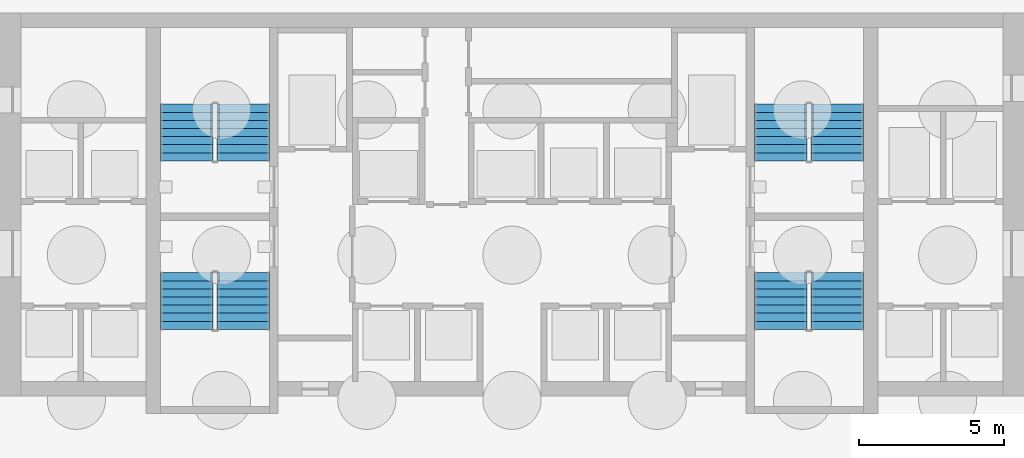
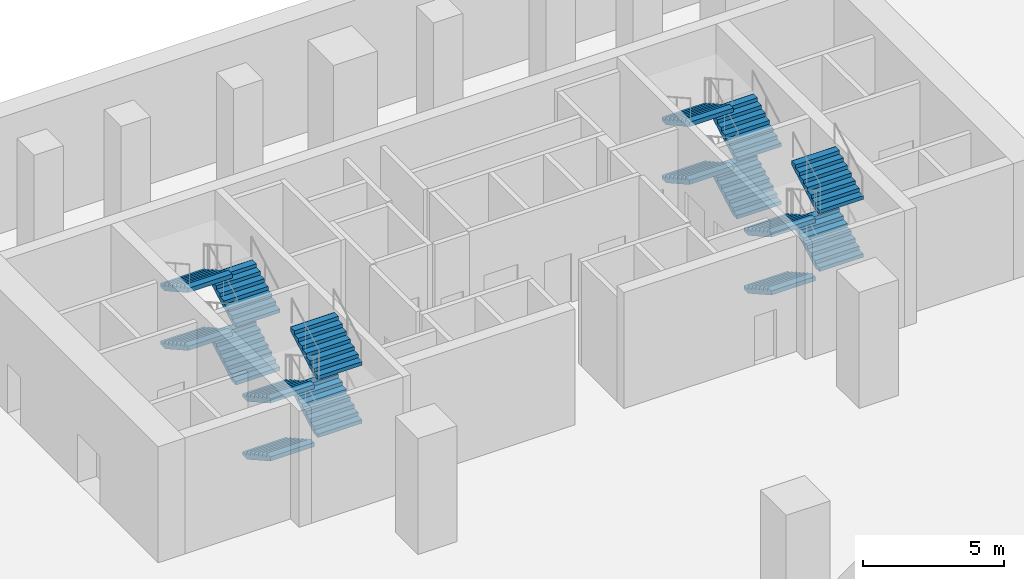
# One storey, part 15 of 27: 16 stair flights, 4 elements without a shape of their own.
"""IFC4 building model written with IfcOpenShell, lengths in metres."""

from ifc_helpers import new_model, si_unit, direction, frame, origin, place, context, subcontext, project, spatial, faceted_brep, source, transform, mapped, material, type_object, element, aggregate, save


model = new_model("IFC4")

# Units and contexts
model_context = context("Model", 3, precision=1e-05, world=origin(), true_north=direction((0.0, 1.0)))
body_context = subcontext(model_context, "Body", "Model", "MODEL_VIEW")
ifc_project = project(units=[si_unit("LENGTHUNIT", "METRE"), si_unit("AREAUNIT", "SQUARE_METRE"), si_unit("VOLUMEUNIT", "CUBIC_METRE"), si_unit("PLANEANGLEUNIT", "RADIAN"), si_unit("MASSUNIT", "GRAM", prefix="KILO")], contexts=[model_context])

# Site, building, storey
site_placement = place(None, origin())
site = spatial("IfcSite", under=ifc_project, at=site_placement, CompositionType="ELEMENT")
building_placement = place(site_placement, origin())
building = spatial("IfcBuilding", under=site, at=building_placement, Name="Calabash Gate Tower", CompositionType="ELEMENT")
storey_placement = place(building_placement, frame((0.0, 0.0, -10.0)))
storey = spatial("IfcBuildingStorey", under=building, at=storey_placement, Name="B2", CompositionType="ELEMENT", Elevation=-10.0)

# Stair, stair flights
ifc_material_1 = material(Name="Concrete C40/50", Category="concrete")
stair_type = type_object("IfcStairType", Name="Exit stair 32 risers of 156.2 mm", PredefinedType="HALF_TURN_STAIR", material=ifc_material_1)
stair_1_placement = place(storey_placement, origin())
stair_1 = element("IfcStair", 1, at=stair_1_placement, inside=storey, type_object=stair_type, Name="B2 Exit stair ST1", PredefinedType="HALF_TURN_STAIR")
ifc_material_2 = material(Name="Concrete C40/50", Category="concrete")
stair_flight_type = type_object("IfcStairFlightType", Name="Exit stair flight SFL", PredefinedType="STRAIGHT", material=ifc_material_2)
shared_shape = source(origin(), body_context, "Body", "Brep", [
    faceted_brep([(-0.0009765625, -0.89990234375, 0.0), (0.306884765625, -0.89990234375, 0.0), (1.9541015625, -0.89990234375, 0.921875), (-0.0009765625, 0.89990234375, 0.0), (1.9541015625, 0.89990234375, 0.921875), (0.306884765625, 0.89990234375, 0.0), (1.9541015625, -0.89990234375, 1.105712890625), (1.952880859375, -0.89990234375, 1.105712890625), (1.952880859375, 0.89990234375, 1.105712890625), (1.9541015625, 0.89990234375, 1.105712890625), (1.952880859375, -0.89990234375, 1.09375), (1.952880859375, 0.89990234375, 1.09375), (1.674072265625, -0.89990234375, 1.09375), (1.674072265625, 0.89990234375, 1.09375), (1.674072265625, -0.89990234375, 0.9375), (1.674072265625, 0.89990234375, 0.9375), (1.39501953125, -0.89990234375, 0.9375), (1.39501953125, 0.89990234375, 0.9375), (1.39501953125, -0.89990234375, 0.78125), (1.39501953125, 0.89990234375, 0.78125), (1.115966796875, -0.89990234375, 0.78125), (1.115966796875, -0.89990234375, 0.625), (1.115966796875, 0.89990234375, 0.625), (1.115966796875, 0.89990234375, 0.78125), (0.8369140625, -0.89990234375, 0.625), (0.8369140625, -0.89990234375, 0.46875), (0.8369140625, 0.89990234375, 0.46875), (0.8369140625, 0.89990234375, 0.625), (0.55810546875, -0.89990234375, 0.46875), (0.55810546875, -0.89990234375, 0.3125), (0.55810546875, 0.89990234375, 0.3125), (0.55810546875, 0.89990234375, 0.46875), (0.279052734375, -0.89990234375, 0.3125), (0.279052734375, -0.89990234375, 0.15625), (0.279052734375, 0.89990234375, 0.15625), (0.279052734375, 0.89990234375, 0.3125), (-0.0009765625, -0.89990234375, 0.15625), (-0.0009765625, 0.89990234375, 0.15625), (0.306884765625, -0.360107421875, 0.0), (1.9541015625, -0.360107421875, 0.921875), (0.306884765625, -0.27001953125, 0.0), (1.9541015625, -0.27001953125, 0.921875), (0.306884765625, -0.179931640625, 0.0), (1.9541015625, -0.179931640625, 0.921875), (0.306884765625, -0.090087890625, 0.0), (1.9541015625, -0.090087890625, 0.921875), (0.306884765625, 0.0, 0.0), (1.9541015625, 0.0, 0.921875), (0.306884765625, 0.090087890625, 0.0), (1.9541015625, 0.090087890625, 0.921875), (0.306884765625, 0.179931640625, 0.0), (1.9541015625, 0.179931640625, 0.921875), (0.306884765625, 0.27001953125, 0.0), (1.9541015625, 0.27001953125, 0.921875), (0.306884765625, 0.360107421875, 0.0), (1.9541015625, 0.360107421875, 0.921875), (1.9541015625, -0.360107421875, 1.105712890625), (1.9541015625, -0.27001953125, 1.105712890625), (1.9541015625, -0.179931640625, 1.105712890625), (1.9541015625, -0.090087890625, 1.105712890625), (1.9541015625, 0.0, 1.105712890625), (1.9541015625, 0.090087890625, 1.105712890625), (1.9541015625, 0.179931640625, 1.105712890625), (1.9541015625, 0.27001953125, 1.105712890625), (1.9541015625, 0.360107421875, 1.105712890625), (1.952880859375, -0.360107421875, 1.105712890625), (1.952880859375, -0.27001953125, 1.105712890625), (1.952880859375, -0.179931640625, 1.105712890625), (1.952880859375, -0.090087890625, 1.105712890625), (1.952880859375, 0.0, 1.105712890625), (1.952880859375, 0.090087890625, 1.105712890625), (1.952880859375, 0.179931640625, 1.105712890625), (1.952880859375, 0.27001953125, 1.105712890625), (1.952880859375, 0.360107421875, 1.105712890625), (1.952880859375, -0.360107421875, 1.09375), (1.952880859375, -0.27001953125, 1.09375), (1.952880859375, -0.179931640625, 1.09375), (1.952880859375, -0.090087890625, 1.09375), (1.952880859375, 0.0, 1.09375), (1.952880859375, 0.090087890625, 1.09375), (1.952880859375, 0.179931640625, 1.09375), (1.952880859375, 0.27001953125, 1.09375), (1.952880859375, 0.360107421875, 1.09375), (1.674072265625, -0.360107421875, 1.09375), (1.674072265625, -0.27001953125, 1.09375), (1.674072265625, -0.179931640625, 1.09375), (1.674072265625, -0.090087890625, 1.09375), (1.674072265625, 0.0, 1.09375), (1.674072265625, 0.090087890625, 1.09375), (1.674072265625, 0.179931640625, 1.09375), (1.674072265625, 0.27001953125, 1.09375), (1.674072265625, 0.360107421875, 1.09375), (1.674072265625, -0.360107421875, 0.9375), (1.674072265625, -0.27001953125, 0.9375), (1.674072265625, -0.179931640625, 0.9375), (1.674072265625, -0.090087890625, 0.9375), (1.674072265625, 0.0, 0.9375), (1.674072265625, 0.090087890625, 0.9375), (1.674072265625, 0.179931640625, 0.9375), (1.674072265625, 0.27001953125, 0.9375), (1.674072265625, 0.360107421875, 0.9375), (1.39501953125, -0.360107421875, 0.9375), (1.39501953125, -0.27001953125, 0.9375), (1.39501953125, -0.179931640625, 0.9375), (1.39501953125, -0.090087890625, 0.9375), (1.39501953125, 0.0, 0.9375), (1.39501953125, 0.090087890625, 0.9375), (1.39501953125, 0.179931640625, 0.9375), (1.39501953125, 0.27001953125, 0.9375), (1.39501953125, 0.360107421875, 0.9375), (1.39501953125, -0.360107421875, 0.78125), (1.39501953125, -0.27001953125, 0.78125), (1.39501953125, -0.179931640625, 0.78125), (1.39501953125, -0.090087890625, 0.78125), (1.39501953125, 0.0, 0.78125), (1.39501953125, 0.090087890625, 0.78125), (1.39501953125, 0.179931640625, 0.78125), (1.39501953125, 0.27001953125, 0.78125), (1.39501953125, 0.360107421875, 0.78125), (1.115966796875, -0.360107421875, 0.78125), (1.115966796875, -0.27001953125, 0.78125), (1.115966796875, -0.179931640625, 0.78125), (1.115966796875, -0.090087890625, 0.78125), (1.115966796875, 0.0, 0.78125), (1.115966796875, 0.090087890625, 0.78125), (1.115966796875, 0.179931640625, 0.78125), (1.115966796875, 0.27001953125, 0.78125), (1.115966796875, 0.360107421875, 0.78125), (1.115966796875, -0.360107421875, 0.625), (1.115966796875, -0.27001953125, 0.625), (1.115966796875, -0.179931640625, 0.625), (1.115966796875, -0.090087890625, 0.625), (1.115966796875, 0.0, 0.625), (1.115966796875, 0.090087890625, 0.625), (1.115966796875, 0.179931640625, 0.625), (1.115966796875, 0.27001953125, 0.625), (1.115966796875, 0.360107421875, 0.625), (0.8369140625, -0.360107421875, 0.625), (0.8369140625, -0.27001953125, 0.625), (0.8369140625, -0.179931640625, 0.625), (0.8369140625, -0.090087890625, 0.625), (0.8369140625, 0.0, 0.625), (0.8369140625, 0.090087890625, 0.625), (0.8369140625, 0.179931640625, 0.625), (0.8369140625, 0.27001953125, 0.625), (0.8369140625, 0.360107421875, 0.625), (0.8369140625, -0.360107421875, 0.46875), (0.8369140625, -0.27001953125, 0.46875), (0.8369140625, -0.179931640625, 0.46875), (0.8369140625, -0.090087890625, 0.46875), (0.8369140625, 0.0, 0.46875), (0.8369140625, 0.090087890625, 0.46875), (0.8369140625, 0.179931640625, 0.46875), (0.8369140625, 0.27001953125, 0.46875), (0.8369140625, 0.360107421875, 0.46875), (0.55810546875, -0.360107421875, 0.46875), (0.55810546875, -0.27001953125, 0.46875), (0.55810546875, -0.179931640625, 0.46875), (0.55810546875, -0.090087890625, 0.46875), (0.55810546875, 0.0, 0.46875), (0.55810546875, 0.090087890625, 0.46875), (0.55810546875, 0.179931640625, 0.46875), (0.55810546875, 0.27001953125, 0.46875), (0.55810546875, 0.360107421875, 0.46875), (0.55810546875, -0.360107421875, 0.3125), (0.55810546875, -0.27001953125, 0.3125), (0.55810546875, -0.179931640625, 0.3125), (0.55810546875, -0.090087890625, 0.3125), (0.55810546875, 0.0, 0.3125), (0.55810546875, 0.090087890625, 0.3125), (0.55810546875, 0.179931640625, 0.3125), (0.55810546875, 0.27001953125, 0.3125), (0.55810546875, 0.360107421875, 0.3125), (0.279052734375, -0.360107421875, 0.3125), (0.279052734375, -0.27001953125, 0.3125), (0.279052734375, -0.179931640625, 0.3125), (0.279052734375, -0.090087890625, 0.3125), (0.279052734375, 0.0, 0.3125), (0.279052734375, 0.090087890625, 0.3125), (0.279052734375, 0.179931640625, 0.3125), (0.279052734375, 0.27001953125, 0.3125), (0.279052734375, 0.360107421875, 0.3125), (0.279052734375, -0.360107421875, 0.15625), (0.279052734375, -0.27001953125, 0.15625), (0.279052734375, -0.179931640625, 0.15625), (0.279052734375, -0.090087890625, 0.15625), (0.279052734375, 0.0, 0.15625), (0.279052734375, 0.090087890625, 0.15625), (0.279052734375, 0.179931640625, 0.15625), (0.279052734375, 0.27001953125, 0.15625), (0.279052734375, 0.360107421875, 0.15625), (-0.0009765625, -0.360107421875, 0.15625), (-0.0009765625, -0.27001953125, 0.15625), (-0.0009765625, -0.179931640625, 0.15625), (-0.0009765625, -0.090087890625, 0.15625), (-0.0009765625, 0.0, 0.15625), (-0.0009765625, 0.090087890625, 0.15625), (-0.0009765625, 0.179931640625, 0.15625), (-0.0009765625, 0.27001953125, 0.15625), (-0.0009765625, 0.360107421875, 0.15625), (-0.0009765625, -0.360107421875, 0.0), (-0.0009765625, -0.27001953125, 0.0), (-0.0009765625, -0.179931640625, 0.0), (-0.0009765625, -0.090087890625, 0.0), (-0.0009765625, 0.0, 0.0), (-0.0009765625, 0.090087890625, 0.0), (-0.0009765625, 0.179931640625, 0.0), (-0.0009765625, 0.27001953125, 0.0), (-0.0009765625, 0.360107421875, 0.0)], [[[0, 1, 2]], [[3, 4, 5]], [[2, 6, 7]], [[4, 8, 9]], [[2, 7, 10]], [[4, 11, 8]], [[2, 10, 12]], [[4, 13, 11]], [[2, 12, 14]], [[4, 15, 13]], [[2, 14, 16]], [[4, 17, 15]], [[2, 16, 18]], [[4, 19, 17]], [[18, 20, 21]], [[19, 22, 23]], [[2, 18, 21]], [[4, 22, 19]], [[21, 24, 25]], [[22, 26, 27]], [[2, 21, 25]], [[4, 26, 22]], [[25, 28, 29]], [[26, 30, 31]], [[2, 25, 29]], [[4, 30, 26]], [[29, 32, 33]], [[30, 34, 35]], [[2, 29, 33]], [[4, 34, 30]], [[0, 2, 33]], [[3, 34, 4]], [[33, 36, 0]], [[34, 3, 37]], [[1, 38, 2]], [[38, 39, 2]], [[38, 40, 39]], [[40, 41, 39]], [[40, 42, 41]], [[42, 43, 41]], [[42, 44, 43]], [[44, 45, 43]], [[44, 46, 45]], [[46, 47, 45]], [[46, 48, 49]], [[46, 49, 47]], [[48, 50, 51]], [[48, 51, 49]], [[50, 52, 53]], [[50, 53, 51]], [[52, 54, 55]], [[52, 55, 53]], [[54, 5, 4]], [[54, 4, 55]], [[2, 39, 6]], [[39, 56, 6]], [[39, 41, 56]], [[41, 57, 56]], [[41, 43, 57]], [[43, 58, 57]], [[43, 45, 58]], [[45, 59, 58]], [[45, 47, 59]], [[47, 60, 59]], [[47, 49, 61]], [[47, 61, 60]], [[49, 51, 62]], [[49, 62, 61]], [[51, 53, 63]], [[51, 63, 62]], [[53, 55, 64]], [[53, 64, 63]], [[55, 4, 9]], [[55, 9, 64]], [[6, 56, 7]], [[56, 65, 7]], [[56, 57, 65]], [[57, 66, 65]], [[57, 58, 66]], [[58, 67, 66]], [[58, 59, 67]], [[59, 68, 67]], [[59, 60, 68]], [[60, 69, 68]], [[60, 61, 70]], [[60, 70, 69]], [[61, 62, 71]], [[61, 71, 70]], [[62, 63, 72]], [[62, 72, 71]], [[63, 64, 73]], [[63, 73, 72]], [[64, 9, 8]], [[64, 8, 73]], [[7, 65, 10]], [[65, 74, 10]], [[65, 66, 74]], [[66, 75, 74]], [[66, 67, 75]], [[67, 76, 75]], [[67, 68, 76]], [[68, 77, 76]], [[68, 69, 77]], [[69, 78, 77]], [[69, 70, 79]], [[69, 79, 78]], [[70, 71, 80]], [[70, 80, 79]], [[71, 72, 81]], [[71, 81, 80]], [[72, 73, 82]], [[72, 82, 81]], [[73, 8, 11]], [[73, 11, 82]], [[10, 74, 12]], [[74, 83, 12]], [[74, 75, 83]], [[75, 84, 83]], [[75, 76, 84]], [[76, 85, 84]], [[76, 77, 85]], [[77, 86, 85]], [[77, 78, 86]], [[78, 87, 86]], [[78, 79, 88]], [[78, 88, 87]], [[79, 80, 89]], [[79, 89, 88]], [[80, 81, 90]], [[80, 90, 89]], [[81, 82, 91]], [[81, 91, 90]], [[82, 11, 13]], [[82, 13, 91]], [[12, 83, 14]], [[83, 92, 14]], [[83, 84, 92]], [[84, 93, 92]], [[84, 85, 93]], [[85, 94, 93]], [[85, 86, 94]], [[86, 95, 94]], [[86, 87, 95]], [[87, 96, 95]], [[87, 88, 97]], [[87, 97, 96]], [[88, 89, 98]], [[88, 98, 97]], [[89, 90, 99]], [[89, 99, 98]], [[90, 91, 100]], [[90, 100, 99]], [[91, 13, 15]], [[91, 15, 100]], [[14, 92, 16]], [[92, 101, 16]], [[92, 93, 101]], [[93, 102, 101]], [[93, 94, 102]], [[94, 103, 102]], [[94, 95, 103]], [[95, 104, 103]], [[95, 96, 104]], [[96, 105, 104]], [[96, 97, 106]], [[96, 106, 105]], [[97, 98, 107]], [[97, 107, 106]], [[98, 99, 108]], [[98, 108, 107]], [[99, 100, 109]], [[99, 109, 108]], [[100, 15, 17]], [[100, 17, 109]], [[16, 101, 18]], [[101, 110, 18]], [[101, 102, 110]], [[102, 111, 110]], [[102, 103, 111]], [[103, 112, 111]], [[103, 104, 112]], [[104, 113, 112]], [[104, 105, 113]], [[105, 114, 113]], [[105, 106, 115]], [[105, 115, 114]], [[106, 107, 116]], [[106, 116, 115]], [[107, 108, 117]], [[107, 117, 116]], [[108, 109, 118]], [[108, 118, 117]], [[109, 17, 19]], [[109, 19, 118]], [[18, 110, 20]], [[110, 119, 20]], [[110, 111, 119]], [[111, 120, 119]], [[111, 112, 120]], [[112, 121, 120]], [[112, 113, 121]], [[113, 122, 121]], [[113, 114, 122]], [[114, 123, 122]], [[114, 115, 124]], [[114, 124, 123]], [[115, 116, 125]], [[115, 125, 124]], [[116, 117, 126]], [[116, 126, 125]], [[117, 118, 127]], [[117, 127, 126]], [[118, 19, 23]], [[118, 23, 127]], [[20, 119, 21]], [[119, 128, 21]], [[119, 120, 128]], [[120, 129, 128]], [[120, 121, 129]], [[121, 130, 129]], [[121, 122, 130]], [[122, 131, 130]], [[122, 123, 131]], [[123, 132, 131]], [[123, 124, 133]], [[123, 133, 132]], [[124, 125, 134]], [[124, 134, 133]], [[125, 126, 135]], [[125, 135, 134]], [[126, 127, 136]], [[126, 136, 135]], [[127, 23, 22]], [[127, 22, 136]], [[21, 128, 24]], [[128, 137, 24]], [[128, 129, 137]], [[129, 138, 137]], [[129, 130, 138]], [[130, 139, 138]], [[130, 131, 139]], [[131, 140, 139]], [[131, 132, 140]], [[132, 141, 140]], [[132, 133, 142]], [[132, 142, 141]], [[133, 134, 143]], [[133, 143, 142]], [[134, 135, 144]], [[134, 144, 143]], [[135, 136, 145]], [[135, 145, 144]], [[136, 22, 27]], [[136, 27, 145]], [[24, 137, 25]], [[137, 146, 25]], [[137, 138, 146]], [[138, 147, 146]], [[138, 139, 147]], [[139, 148, 147]], [[139, 140, 148]], [[140, 149, 148]], [[140, 141, 149]], [[141, 150, 149]], [[141, 142, 151]], [[141, 151, 150]], [[142, 143, 152]], [[142, 152, 151]], [[143, 144, 153]], [[143, 153, 152]], [[144, 145, 154]], [[144, 154, 153]], [[145, 27, 26]], [[145, 26, 154]], [[25, 146, 28]], [[146, 155, 28]], [[146, 147, 155]], [[147, 156, 155]], [[147, 148, 156]], [[148, 157, 156]], [[148, 149, 157]], [[149, 158, 157]], [[149, 150, 158]], [[150, 159, 158]], [[150, 151, 160]], [[150, 160, 159]], [[151, 152, 161]], [[151, 161, 160]], [[152, 153, 162]], [[152, 162, 161]], [[153, 154, 163]], [[153, 163, 162]], [[154, 26, 31]], [[154, 31, 163]], [[28, 155, 29]], [[155, 164, 29]], [[155, 156, 164]], [[156, 165, 164]], [[156, 157, 165]], [[157, 166, 165]], [[157, 158, 166]], [[158, 167, 166]], [[158, 159, 167]], [[159, 168, 167]], [[159, 160, 169]], [[159, 169, 168]], [[160, 161, 170]], [[160, 170, 169]], [[161, 162, 171]], [[161, 171, 170]], [[162, 163, 172]], [[162, 172, 171]], [[163, 31, 30]], [[163, 30, 172]], [[29, 164, 32]], [[164, 173, 32]], [[164, 165, 173]], [[165, 174, 173]], [[165, 166, 174]], [[166, 175, 174]], [[166, 167, 175]], [[167, 176, 175]], [[167, 168, 176]], [[168, 177, 176]], [[168, 169, 178]], [[168, 178, 177]], [[169, 170, 179]], [[169, 179, 178]], [[170, 171, 180]], [[170, 180, 179]], [[171, 172, 181]], [[171, 181, 180]], [[172, 30, 35]], [[172, 35, 181]], [[32, 173, 33]], [[173, 182, 33]], [[173, 174, 182]], [[174, 183, 182]], [[174, 175, 183]], [[175, 184, 183]], [[175, 176, 184]], [[176, 185, 184]], [[176, 177, 185]], [[177, 186, 185]], [[177, 178, 187]], [[177, 187, 186]], [[178, 179, 188]], [[178, 188, 187]], [[179, 180, 189]], [[179, 189, 188]], [[180, 181, 190]], [[180, 190, 189]], [[181, 35, 34]], [[181, 34, 190]], [[33, 182, 36]], [[182, 191, 36]], [[182, 183, 191]], [[183, 192, 191]], [[183, 184, 192]], [[184, 193, 192]], [[184, 185, 193]], [[185, 194, 193]], [[185, 186, 194]], [[186, 195, 194]], [[186, 187, 196]], [[186, 196, 195]], [[187, 188, 197]], [[187, 197, 196]], [[188, 189, 198]], [[188, 198, 197]], [[189, 190, 199]], [[189, 199, 198]], [[190, 34, 37]], [[190, 37, 199]], [[36, 191, 0]], [[191, 200, 0]], [[191, 192, 200]], [[192, 201, 200]], [[192, 193, 201]], [[193, 202, 201]], [[193, 194, 202]], [[194, 203, 202]], [[194, 195, 203]], [[195, 204, 203]], [[195, 196, 205]], [[195, 205, 204]], [[196, 197, 206]], [[196, 206, 205]], [[197, 198, 207]], [[197, 207, 206]], [[198, 199, 208]], [[198, 208, 207]], [[199, 37, 3]], [[199, 3, 208]], [[0, 200, 1]], [[200, 38, 1]], [[200, 201, 38]], [[201, 40, 38]], [[201, 202, 40]], [[202, 42, 40]], [[202, 203, 42]], [[203, 44, 42]], [[203, 204, 44]], [[204, 46, 44]], [[204, 205, 48]], [[204, 48, 46]], [[205, 206, 50]], [[205, 50, 48]], [[206, 207, 52]], [[206, 52, 50]], [[207, 208, 54]], [[207, 54, 52]], [[208, 3, 5]], [[208, 5, 54]]]),
])
stair_flight_1_placement = place(storey_placement, frame((-9.25, 13.95263671875, 0.0), z_axis=(0.0, 0.0, 1.0), x_axis=(0.0, 1.0, 0.0)))
stair_flight_1 = element("IfcStairFlight", 2, at=stair_flight_1_placement, type_object=stair_flight_type, Name="ST1 flight 1", NumberOfRisers=8, NumberOfTreads=7, PredefinedType="STRAIGHT", RiserHeight=0.15625, TreadLength=0.279, context=body_context, shape_type="MappedRepresentation", body=[
    mapped(shared_shape, transform((0.0, 0.0, 0.0), scale=1.0)),
])
stair_flight_2_placement = place(storey_placement, frame((-11.199951171875, 15.905517578125, 1.25), z_axis=(0.0, 0.0, 1.0), x_axis=(0.0, -1.0, 0.0)))
stair_flight_2 = element("IfcStairFlight", 3, at=stair_flight_2_placement, type_object=stair_flight_type, Name="ST1 flight 2", NumberOfRisers=8, NumberOfTreads=7, PredefinedType="STRAIGHT", RiserHeight=0.15625, TreadLength=0.279, context=body_context, shape_type="MappedRepresentation", body=[
    mapped(shared_shape, transform((0.0, 0.0, 0.0), scale=1.0)),
])
stair_flight_3_placement = place(storey_placement, frame((-9.25, 13.95263671875, 2.5), z_axis=(0.0, 0.0, 1.0), x_axis=(0.0, 1.0, 0.0)))
stair_flight_3 = element("IfcStairFlight", 4, at=stair_flight_3_placement, type_object=stair_flight_type, Name="ST1 flight 3", NumberOfRisers=8, NumberOfTreads=7, PredefinedType="STRAIGHT", RiserHeight=0.15625, TreadLength=0.279, context=body_context, shape_type="MappedRepresentation", body=[
    mapped(shared_shape, transform((0.0, 0.0, 0.0), scale=1.0)),
])
stair_flight_4_placement = place(storey_placement, frame((-11.199951171875, 15.905517578125, 3.75), z_axis=(0.0, 0.0, 1.0), x_axis=(0.0, -1.0, 0.0)))
stair_flight_4 = element("IfcStairFlight", 5, at=stair_flight_4_placement, type_object=stair_flight_type, Name="ST1 flight 4", NumberOfRisers=8, NumberOfTreads=7, PredefinedType="STRAIGHT", RiserHeight=0.15625, TreadLength=0.279, context=body_context, shape_type="MappedRepresentation", body=[
    mapped(shared_shape, transform((0.0, 0.0, 0.0), scale=1.0)),
])
aggregate(stair_1, [stair_flight_1, stair_flight_2, stair_flight_3, stair_flight_4])

stair_2_placement = place(storey_placement, origin())
stair_2 = element("IfcStair", 6, at=stair_2_placement, inside=storey, type_object=stair_type, Name="B2 Exit stair ST2", PredefinedType="HALF_TURN_STAIR")
stair_flight_5_placement = place(storey_placement, frame((-11.199951171875, 10.1025390625, 0.0), z_axis=(0.0, 0.0, 1.0), x_axis=(0.0, -1.0, 0.0)))
stair_flight_5 = element("IfcStairFlight", 7, at=stair_flight_5_placement, type_object=stair_flight_type, Name="ST2 flight 1", NumberOfRisers=8, NumberOfTreads=7, PredefinedType="STRAIGHT", RiserHeight=0.15625, TreadLength=0.279, context=body_context, shape_type="MappedRepresentation", body=[
    mapped(shared_shape, transform((0.0, 0.0, 0.0), scale=1.0)),
])
stair_flight_6_placement = place(storey_placement, frame((-9.25, 8.149658203125, 1.25), z_axis=(0.0, 0.0, 1.0), x_axis=(0.0, 1.0, 0.0)))
stair_flight_6 = element("IfcStairFlight", 8, at=stair_flight_6_placement, type_object=stair_flight_type, Name="ST2 flight 2", NumberOfRisers=8, NumberOfTreads=7, PredefinedType="STRAIGHT", RiserHeight=0.15625, TreadLength=0.279, context=body_context, shape_type="MappedRepresentation", body=[
    mapped(shared_shape, transform((0.0, 0.0, 0.0), scale=1.0)),
])
stair_flight_7_placement = place(storey_placement, frame((-11.199951171875, 10.1025390625, 2.5), z_axis=(0.0, 0.0, 1.0), x_axis=(0.0, -1.0, 0.0)))
stair_flight_7 = element("IfcStairFlight", 9, at=stair_flight_7_placement, type_object=stair_flight_type, Name="ST2 flight 3", NumberOfRisers=8, NumberOfTreads=7, PredefinedType="STRAIGHT", RiserHeight=0.15625, TreadLength=0.279, context=body_context, shape_type="MappedRepresentation", body=[
    mapped(shared_shape, transform((0.0, 0.0, 0.0), scale=1.0)),
])
stair_flight_8_placement = place(storey_placement, frame((-9.25, 8.149658203125, 3.75), z_axis=(0.0, 0.0, 1.0), x_axis=(0.0, 1.0, 0.0)))
stair_flight_8 = element("IfcStairFlight", 10, at=stair_flight_8_placement, type_object=stair_flight_type, Name="ST2 flight 4", NumberOfRisers=8, NumberOfTreads=7, PredefinedType="STRAIGHT", RiserHeight=0.15625, TreadLength=0.279, context=body_context, shape_type="MappedRepresentation", body=[
    mapped(shared_shape, transform((0.0, 0.0, 0.0), scale=1.0)),
])
aggregate(stair_2, [stair_flight_5, stair_flight_6, stair_flight_7, stair_flight_8])

stair_3_placement = place(storey_placement, origin())
stair_3 = element("IfcStair", 11, at=stair_3_placement, inside=storey, type_object=stair_type, Name="B2 Exit stair ST3", PredefinedType="HALF_TURN_STAIR")
stair_flight_9_placement = place(storey_placement, frame((11.199951171875, 13.95263671875, 0.0), z_axis=(0.0, 0.0, 1.0), x_axis=(0.0, 1.0, 0.0)))
stair_flight_9 = element("IfcStairFlight", 12, at=stair_flight_9_placement, type_object=stair_flight_type, Name="ST3 flight 1", NumberOfRisers=8, NumberOfTreads=7, PredefinedType="STRAIGHT", RiserHeight=0.15625, TreadLength=0.279, context=body_context, shape_type="MappedRepresentation", body=[
    mapped(shared_shape, transform((0.0, 0.0, 0.0), scale=1.0)),
])
stair_flight_10_placement = place(storey_placement, frame((9.25, 15.905517578125, 1.25), z_axis=(0.0, 0.0, 1.0), x_axis=(0.0, -1.0, 0.0)))
stair_flight_10 = element("IfcStairFlight", 13, at=stair_flight_10_placement, type_object=stair_flight_type, Name="ST3 flight 2", NumberOfRisers=8, NumberOfTreads=7, PredefinedType="STRAIGHT", RiserHeight=0.15625, TreadLength=0.279, context=body_context, shape_type="MappedRepresentation", body=[
    mapped(shared_shape, transform((0.0, 0.0, 0.0), scale=1.0)),
])
stair_flight_11_placement = place(storey_placement, frame((11.199951171875, 13.95263671875, 2.5), z_axis=(0.0, 0.0, 1.0), x_axis=(0.0, 1.0, 0.0)))
stair_flight_11 = element("IfcStairFlight", 14, at=stair_flight_11_placement, type_object=stair_flight_type, Name="ST3 flight 3", NumberOfRisers=8, NumberOfTreads=7, PredefinedType="STRAIGHT", RiserHeight=0.15625, TreadLength=0.279, context=body_context, shape_type="MappedRepresentation", body=[
    mapped(shared_shape, transform((0.0, 0.0, 0.0), scale=1.0)),
])
stair_flight_12_placement = place(storey_placement, frame((9.25, 15.905517578125, 3.75), z_axis=(0.0, 0.0, 1.0), x_axis=(0.0, -1.0, 0.0)))
stair_flight_12 = element("IfcStairFlight", 15, at=stair_flight_12_placement, type_object=stair_flight_type, Name="ST3 flight 4", NumberOfRisers=8, NumberOfTreads=7, PredefinedType="STRAIGHT", RiserHeight=0.15625, TreadLength=0.279, context=body_context, shape_type="MappedRepresentation", body=[
    mapped(shared_shape, transform((0.0, 0.0, 0.0), scale=1.0)),
])
aggregate(stair_3, [stair_flight_9, stair_flight_10, stair_flight_11, stair_flight_12])

stair_4_placement = place(storey_placement, origin())
stair_4 = element("IfcStair", 16, at=stair_4_placement, inside=storey, type_object=stair_type, Name="B2 Exit stair ST4", PredefinedType="HALF_TURN_STAIR")
stair_flight_13_placement = place(storey_placement, frame((9.25, 10.1025390625, 0.0), z_axis=(0.0, 0.0, 1.0), x_axis=(0.0, -1.0, 0.0)))
stair_flight_13 = element("IfcStairFlight", 17, at=stair_flight_13_placement, type_object=stair_flight_type, Name="ST4 flight 1", NumberOfRisers=8, NumberOfTreads=7, PredefinedType="STRAIGHT", RiserHeight=0.15625, TreadLength=0.279, context=body_context, shape_type="MappedRepresentation", body=[
    mapped(shared_shape, transform((0.0, 0.0, 0.0), scale=1.0)),
])
stair_flight_14_placement = place(storey_placement, frame((11.199951171875, 8.149658203125, 1.25), z_axis=(0.0, 0.0, 1.0), x_axis=(0.0, 1.0, 0.0)))
stair_flight_14 = element("IfcStairFlight", 18, at=stair_flight_14_placement, type_object=stair_flight_type, Name="ST4 flight 2", NumberOfRisers=8, NumberOfTreads=7, PredefinedType="STRAIGHT", RiserHeight=0.15625, TreadLength=0.279, context=body_context, shape_type="MappedRepresentation", body=[
    mapped(shared_shape, transform((0.0, 0.0, 0.0), scale=1.0)),
])
stair_flight_15_placement = place(storey_placement, frame((9.25, 10.1025390625, 2.5), z_axis=(0.0, 0.0, 1.0), x_axis=(0.0, -1.0, 0.0)))
stair_flight_15 = element("IfcStairFlight", 19, at=stair_flight_15_placement, type_object=stair_flight_type, Name="ST4 flight 3", NumberOfRisers=8, NumberOfTreads=7, PredefinedType="STRAIGHT", RiserHeight=0.15625, TreadLength=0.279, context=body_context, shape_type="MappedRepresentation", body=[
    mapped(shared_shape, transform((0.0, 0.0, 0.0), scale=1.0)),
])
stair_flight_16_placement = place(storey_placement, frame((11.199951171875, 8.149658203125, 3.75), z_axis=(0.0, 0.0, 1.0), x_axis=(0.0, 1.0, 0.0)))
stair_flight_16 = element("IfcStairFlight", 20, at=stair_flight_16_placement, type_object=stair_flight_type, Name="ST4 flight 4", NumberOfRisers=8, NumberOfTreads=7, PredefinedType="STRAIGHT", RiserHeight=0.15625, TreadLength=0.279, context=body_context, shape_type="MappedRepresentation", body=[
    mapped(shared_shape, transform((0.0, 0.0, 0.0), scale=1.0)),
])
aggregate(stair_4, [stair_flight_13, stair_flight_14, stair_flight_15, stair_flight_16])

save(model, "model.ifc")
